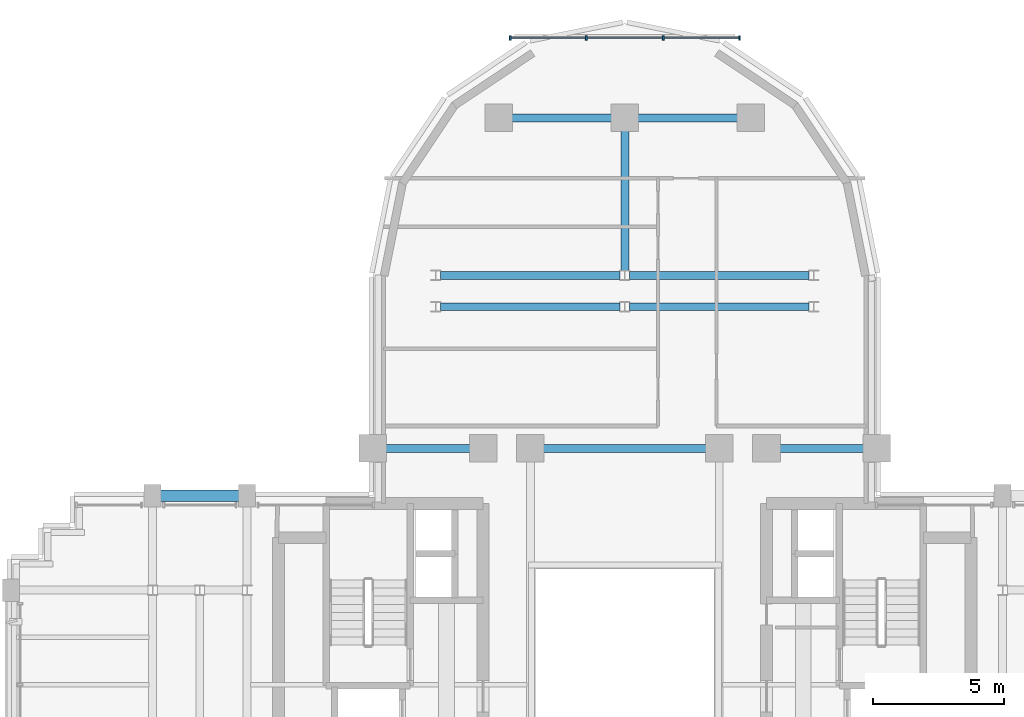
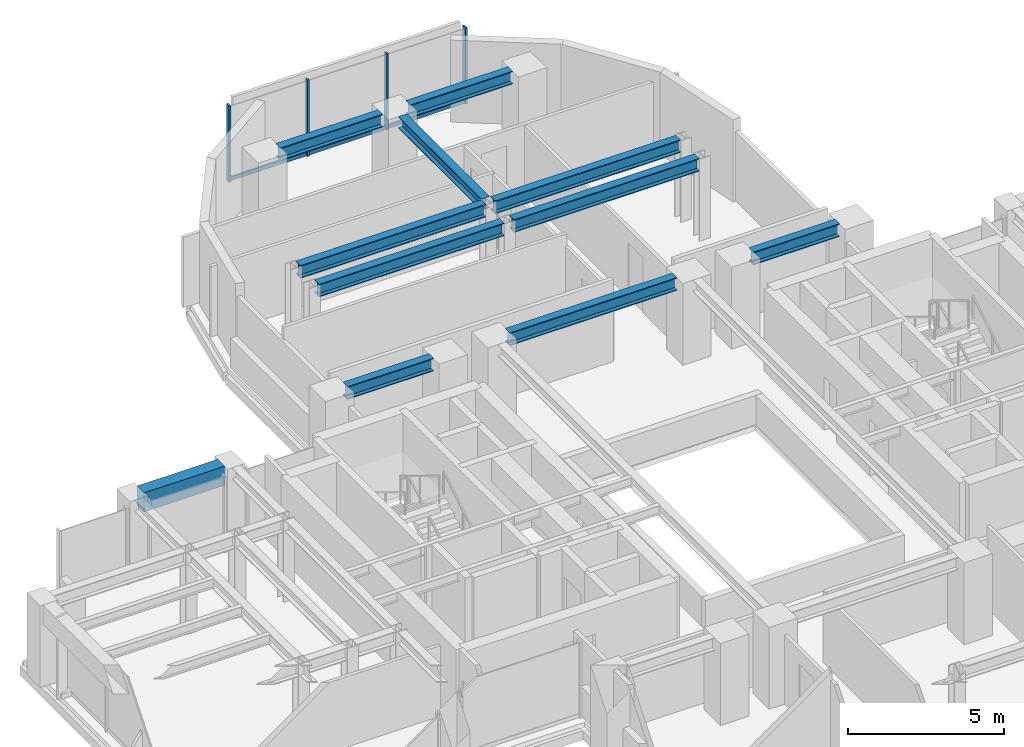
# One storey, part 6 of 14: 11 beams, 7 members, 1 element without a shape of its own.
"""IFC4 building model written with IfcOpenShell, lengths in metres."""

from ifc_helpers import new_model, si_unit, direction, frame, origin, origin_2d, place, context, subcontext, project, spatial, rectangle, i_section, extrude, source, transform, mapped, material, material_profile, profile_set, type_object, element, aggregate, save


model = new_model("IFC4")

# Units and contexts
model_context = context("Model", 3, precision=1e-05, world=origin(), true_north=direction((0.0, 1.0)))
body_context = subcontext(model_context, "Body", "Model", "MODEL_VIEW")
ifc_project = project(units=[si_unit("LENGTHUNIT", "METRE"), si_unit("AREAUNIT", "SQUARE_METRE"), si_unit("VOLUMEUNIT", "CUBIC_METRE"), si_unit("PLANEANGLEUNIT", "RADIAN"), si_unit("MASSUNIT", "GRAM", prefix="KILO")], contexts=[model_context])

# Site, building, storey
site_placement = place(None, origin())
site = spatial("IfcSite", under=ifc_project, at=site_placement, CompositionType="ELEMENT")
building_placement = place(site_placement, origin())
building = spatial("IfcBuilding", under=site, at=building_placement, Name="Keilestroom Media Tower", CompositionType="ELEMENT")
storey_placement = place(building_placement, frame((0.0, 0.0, 134.60009765625)))
storey = spatial("IfcBuildingStorey", under=building, at=storey_placement, Name="L36", CompositionType="ELEMENT", Elevation=134.60009765625)

# Beams
ifc_material_1 = material(Name="Steel S355", Category="steel")
ifc_material_profile_1 = material_profile(ifc_material_1, i_section(OverallWidth=0.300048828125, OverallDepth=0.5, WebThickness=0.012451171875, FlangeThickness=0.028076171875, at=origin_2d()), Name="HEB 500")
ifc_profile_set_1 = profile_set([ifc_material_profile_1], Name="Steel S355")
beam_type_1 = type_object("IfcBeamType", Name="Primary-Structural-Girder-HEB-500", PredefinedType="BEAM", material=ifc_profile_set_1)
shared_shape_1 = source(origin(), body_context, "Body", "SweptSolid", [
    extrude(i_section(OverallWidth=0.300048828125, OverallDepth=0.5, WebThickness=0.012451171875, FlangeThickness=0.028076171875, at=origin_2d()), origin(), (0.0, 0.0, 1.0), 3.7900390625),
])
for number, where, z_axis, x_axis, name in (
    (1, (-4.294921875, 21.60009765625, 2.949951171875), (1.0, 0.0, 0.0), (0.0, 1.0, 0.0), "L36 Beam BG-6 BM-L36-EW-037"),
    (2, (0.5048828125, 21.60009765625, 2.949951171875), (1.0, 0.0, 0.0), (0.0, 1.0, 0.0), "L36 Beam BG-6 BM-L36-EW-038"),
):
    element("IfcBeam", number, at=place(storey_placement, frame(where, z_axis=z_axis, x_axis=x_axis)), inside=storey, type_object=beam_type_1, Name=name, PredefinedType="BEAM", context=body_context, shape_type="MappedRepresentation", body=[
        mapped(shared_shape_1, transform((0.0, 0.0, 0.0), x_axis=(1.0, 0.0, 0.0), y_axis=(0.0, 1.0, 0.0), z_axis=(0.0, 0.0, 1.0), scale=1.0)),
    ])
shared_shape_2 = source(origin(), body_context, "Body", "SweptSolid", [
    extrude(i_section(OverallWidth=0.300048828125, OverallDepth=0.5, WebThickness=0.012451171875, FlangeThickness=0.028076171875, at=origin_2d()), origin(), (0.0, 0.0, 1.0), 6.839111328125),
])
for number, where, z_axis, x_axis, name in (
    (3, (-7.01953125, 14.39990234375, 2.949951171875), (1.0, 0.0, 0.0), (0.0, 1.0, 0.0), "L36 Beam BG-6 BM-L36-EW-033"),
    (4, (0.180419921875, 14.39990234375, 2.949951171875), (1.0, 0.0, 0.0), (0.0, 1.0, 0.0), "L36 Beam BG-6 BM-L36-EW-034"),
    (5, (-7.01953125, 15.60009765625, 2.949951171875), (1.0, 0.0, 0.0), (0.0, 1.0, 0.0), "L36 Beam BG-6 BM-L36-EW-035"),
    (6, (0.180419921875, 15.60009765625, 2.949951171875), (1.0, 0.0, 0.0), (0.0, 1.0, 0.0), "L36 Beam BG-6 BM-L36-EW-036"),
):
    element("IfcBeam", number, at=place(storey_placement, frame(where, z_axis=z_axis, x_axis=x_axis)), inside=storey, type_object=beam_type_1, Name=name, PredefinedType="BEAM", context=body_context, shape_type="MappedRepresentation", body=[
        mapped(shared_shape_2, transform((0.0, 0.0, 0.0), x_axis=(1.0, 0.0, 0.0), y_axis=(0.0, 1.0, 0.0), z_axis=(0.0, 0.0, 1.0), scale=1.0)),
    ])
shared_shape_3 = source(origin(), body_context, "Body", "SweptSolid", [
    extrude(i_section(OverallWidth=0.300048828125, OverallDepth=0.5, WebThickness=0.012451171875, FlangeThickness=0.028076171875, at=origin_2d()), origin(), (0.0, 0.0, 1.0), 3.18994140625),
])
for number, where, z_axis, x_axis, name in (
    (7, (-9.094970703125, 9.0, 2.949951171875), (1.0, 0.0, 0.0), (0.0, 1.0, 0.0), "L36 Beam BG-6 BM-L36-EW-028"),
    (8, (5.905029296875, 9.0, 2.949951171875), (1.0, 0.0, 0.0), (0.0, 1.0, 0.0), "L36 Beam BG-6 BM-L36-EW-032"),
):
    element("IfcBeam", number, at=place(storey_placement, frame(where, z_axis=z_axis, x_axis=x_axis)), inside=storey, type_object=beam_type_1, Name=name, PredefinedType="BEAM", context=body_context, shape_type="MappedRepresentation", body=[
        mapped(shared_shape_3, transform((0.0, 0.0, 0.0), x_axis=(1.0, 0.0, 0.0), y_axis=(0.0, 1.0, 0.0), z_axis=(0.0, 0.0, 1.0), scale=1.0)),
    ])
shared_shape_4 = source(origin(), body_context, "Body", "SweptSolid", [
    extrude(i_section(OverallWidth=0.300048828125, OverallDepth=0.5, WebThickness=0.012451171875, FlangeThickness=0.028076171875, at=origin_2d()), origin(), (0.0, 0.0, 1.0), 6.18994140625),
])
beam_1_placement = place(storey_placement, frame((-3.094970703125, 9.0, 2.949951171875), z_axis=(1.0, 0.0, 0.0), x_axis=(0.0, 1.0, 0.0)))
element("IfcBeam", 9, at=beam_1_placement, inside=storey, type_object=beam_type_1, Name="L36 Beam BG-6 BM-L36-EW-030", PredefinedType="BEAM", context=body_context, shape_type="MappedRepresentation", body=[
    mapped(shared_shape_4, transform((0.0, 0.0, 0.0), x_axis=(1.0, 0.0, 0.0), y_axis=(0.0, 1.0, 0.0), z_axis=(0.0, 0.0, 1.0), scale=1.0)),
])
ifc_material_2 = material(Name="Precast concrete C40/50", Category="concrete")
ifc_material_profile_2 = material_profile(ifc_material_2, rectangle(XDim=0.449951171875, YDim=0.75, at=origin_2d()), Name="PC 450x750")
ifc_profile_set_2 = profile_set([ifc_material_profile_2], Name="Precast concrete C40/50")
beam_type_2 = type_object("IfcBeamType", Name="Perimeter-Spandrel-Beam-PC-450x750", PredefinedType="SPANDREL", material=ifc_profile_set_2)
shared_shape_5 = source(origin(), body_context, "Body", "SweptSolid", [
    extrude(rectangle(XDim=0.449951171875, YDim=0.75, at=origin_2d()), origin(), (0.0, 0.0, 1.0), 2.989990234375),
])
beam_2_placement = place(storey_placement, frame((-17.695068359375, 7.199951171875, 2.824951171875), z_axis=(1.0, 0.0, 0.0), x_axis=(0.0, 1.0, 0.0)))
element("IfcBeam", 10, at=beam_2_placement, inside=storey, type_object=beam_type_2, Name="L36 Beam SPB-1 BM-L36-EW-026", PredefinedType="SPANDREL", context=body_context, shape_type="MappedRepresentation", body=[
    mapped(shared_shape_5, transform((0.0, 0.0, 0.0), x_axis=(1.0, 0.0, 0.0), y_axis=(0.0, 1.0, 0.0), z_axis=(0.0, 0.0, 1.0), scale=1.0)),
])
ifc_material_profile_3 = material_profile(ifc_material_1, i_section(OverallWidth=0.300048828125, OverallDepth=0.449951171875, WebThickness=0.011962890625, FlangeThickness=0.02587890625, at=origin_2d()), Name="HEB 450")
ifc_profile_set_3 = profile_set([ifc_material_profile_3], Name="Steel S355")
beam_type_3 = type_object("IfcBeamType", Name="Primary-Structural-Girder-HEB-450", PredefinedType="BEAM", material=ifc_profile_set_3)
shared_shape_6 = source(origin(), body_context, "Body", "SweptSolid", [
    extrude(i_section(OverallWidth=0.300048828125, OverallDepth=0.449951171875, WebThickness=0.011962890625, FlangeThickness=0.02587890625, at=origin_2d()), origin(), (0.0, 0.0, 1.0), 5.3154296875),
])
beam_3_placement = place(storey_placement, frame((0.0, 15.779541015625, 2.974853515625), z_axis=(0.0, 1.0, 0.0), x_axis=(-1.0, 0.0, 0.0)))
element("IfcBeam", 11, at=beam_3_placement, inside=storey, type_object=beam_type_3, Name="L36 Beam BG-7 BM-L36-NS-055", PredefinedType="BEAM", context=body_context, shape_type="MappedRepresentation", body=[
    mapped(shared_shape_6, transform((0.0, 0.0, 0.0), x_axis=(1.0, 0.0, 0.0), y_axis=(0.0, 1.0, 0.0), z_axis=(0.0, 0.0, 1.0), scale=1.0)),
])

# Curtain wall, members
ifc_material_3 = material(Name="Anodised Aluminium Alloy", Category="aluminium")
curtain_wall_type = type_object("IfcCurtainWallType", Name="Unitised-Curtain-Wall-CW-6", PredefinedType="NOTDEFINED", material=ifc_material_3)
curtain_wall_placement = place(storey_placement, origin())
curtain_wall = element("IfcCurtainWall", 12, at=curtain_wall_placement, inside=storey, type_object=curtain_wall_type, Name="L36 Curtain Wall CW-6 CW-L36-LN-1", PredefinedType="NOTDEFINED")
ifc_material_profile_4 = material_profile(ifc_material_3, rectangle(XDim=0.06494140625, YDim=0.179931640625, at=origin_2d()), Name="ALU MULLION 65x180")
ifc_profile_set_4 = profile_set([ifc_material_profile_4], Name="Anodised Aluminium Alloy")
member_type_1 = type_object("IfcMemberType", Name="Curtain-Wall-Mullion-CW-6", PredefinedType="MULLION", material=ifc_profile_set_4)
shared_shape_7 = source(origin(), body_context, "Body", "SweptSolid", [
    extrude(rectangle(XDim=0.06494140625, YDim=0.179931640625, at=origin_2d()), origin(), (0.0, 0.0, 1.0), 2.97998046875),
])
member_1_placement = place(storey_placement, frame((-4.367431640625, 24.64990234375, 0.0), z_axis=(0.0, 0.0, 1.0), x_axis=(1.0, 0.0, 0.0)))
member_1 = element("IfcMember", 13, at=member_1_placement, type_object=member_type_1, Name="CW-6 Mullion 00", PredefinedType="MULLION", context=body_context, shape_type="MappedRepresentation", body=[
    mapped(shared_shape_7, transform((0.0, 0.0, 0.0), x_axis=(1.0, 0.0, 0.0), y_axis=(0.0, 1.0, 0.0), z_axis=(0.0, 0.0, 1.0), scale=1.0)),
])
member_2_placement = place(storey_placement, frame((-1.466796875, 24.64990234375, 0.0), z_axis=(0.0, 0.0, 1.0), x_axis=(1.0, 0.0, 0.0)))
member_2 = element("IfcMember", 14, at=member_2_placement, type_object=member_type_1, Name="CW-6 Mullion 01", PredefinedType="MULLION", context=body_context, shape_type="MappedRepresentation", body=[
    mapped(shared_shape_7, transform((0.0, 0.0, 0.0), x_axis=(1.0, 0.0, 0.0), y_axis=(0.0, 1.0, 0.0), z_axis=(0.0, 0.0, 1.0), scale=1.0)),
])
member_3_placement = place(storey_placement, frame((1.466796875, 24.64990234375, 0.0), z_axis=(0.0, 0.0, 1.0), x_axis=(1.0, 0.0, 0.0)))
member_3 = element("IfcMember", 15, at=member_3_placement, type_object=member_type_1, Name="CW-6 Mullion 02", PredefinedType="MULLION", context=body_context, shape_type="MappedRepresentation", body=[
    mapped(shared_shape_7, transform((0.0, 0.0, 0.0), x_axis=(1.0, 0.0, 0.0), y_axis=(0.0, 1.0, 0.0), z_axis=(0.0, 0.0, 1.0), scale=1.0)),
])
member_4_placement = place(storey_placement, frame((4.367431640625, 24.64990234375, 0.0), z_axis=(0.0, 0.0, 1.0), x_axis=(1.0, 0.0, 0.0)))
member_4 = element("IfcMember", 16, at=member_4_placement, type_object=member_type_1, Name="CW-6 Mullion 03", PredefinedType="MULLION", context=body_context, shape_type="MappedRepresentation", body=[
    mapped(shared_shape_7, transform((0.0, 0.0, 0.0), x_axis=(1.0, 0.0, 0.0), y_axis=(0.0, 1.0, 0.0), z_axis=(0.0, 0.0, 1.0), scale=1.0)),
])
ifc_material_profile_5 = material_profile(ifc_material_3, rectangle(XDim=0.06494140625, YDim=0.14990234375, at=origin_2d()), Name="ALU TRANSOM 65x150")
ifc_profile_set_5 = profile_set([ifc_material_profile_5], Name="Anodised Aluminium Alloy")
member_type_2 = type_object("IfcMemberType", Name="Curtain-Wall-Transom-CW-6", PredefinedType="USERDEFINED", material=ifc_profile_set_5)
shared_shape_8 = source(origin(), body_context, "Body", "SweptSolid", [
    extrude(rectangle(XDim=0.06494140625, YDim=0.14990234375, at=origin_2d()), origin(), (0.0, 0.0, 1.0), 2.839599609375),
])
member_5_placement = place(storey_placement, frame((-4.3369140625, 24.64990234375, 0.074951171875), z_axis=(1.0, 0.0, 0.0), x_axis=(0.0, 1.0, 0.0)))
member_5 = element("IfcMember", 17, at=member_5_placement, type_object=member_type_2, Name="CW-6 Transom 00.1", ObjectType="TRANSOM", PredefinedType="USERDEFINED", context=body_context, shape_type="MappedRepresentation", body=[
    mapped(shared_shape_8, transform((0.0, 0.0, 0.0), x_axis=(1.0, 0.0, 0.0), y_axis=(0.0, 1.0, 0.0), z_axis=(0.0, 0.0, 1.0), scale=1.0)),
])
member_6_placement = place(storey_placement, frame((1.497314453125, 24.64990234375, 0.074951171875), z_axis=(1.0, 0.0, 0.0), x_axis=(0.0, 1.0, 0.0)))
member_6 = element("IfcMember", 18, at=member_6_placement, type_object=member_type_2, Name="CW-6 Transom 02.1", ObjectType="TRANSOM", PredefinedType="USERDEFINED", context=body_context, shape_type="MappedRepresentation", body=[
    mapped(shared_shape_8, transform((0.0, 0.0, 0.0), x_axis=(1.0, 0.0, 0.0), y_axis=(0.0, 1.0, 0.0), z_axis=(0.0, 0.0, 1.0), scale=1.0)),
])
shared_shape_9 = source(origin(), body_context, "Body", "SweptSolid", [
    extrude(rectangle(XDim=0.06494140625, YDim=0.14990234375, at=origin_2d()), origin(), (0.0, 0.0, 1.0), 2.87255859375),
])
member_7_placement = place(storey_placement, frame((-1.436279296875, 24.64990234375, 0.074951171875), z_axis=(1.0, 0.0, 0.0), x_axis=(0.0, 1.0, 0.0)))
member_7 = element("IfcMember", 19, at=member_7_placement, type_object=member_type_2, Name="CW-6 Transom 01.1", ObjectType="TRANSOM", PredefinedType="USERDEFINED", context=body_context, shape_type="MappedRepresentation", body=[
    mapped(shared_shape_9, transform((0.0, 0.0, 0.0), x_axis=(1.0, 0.0, 0.0), y_axis=(0.0, 1.0, 0.0), z_axis=(0.0, 0.0, 1.0), scale=1.0)),
])
aggregate(curtain_wall, [member_1, member_2, member_3, member_4, member_5, member_7, member_6])

save(model, "model.ifc")
